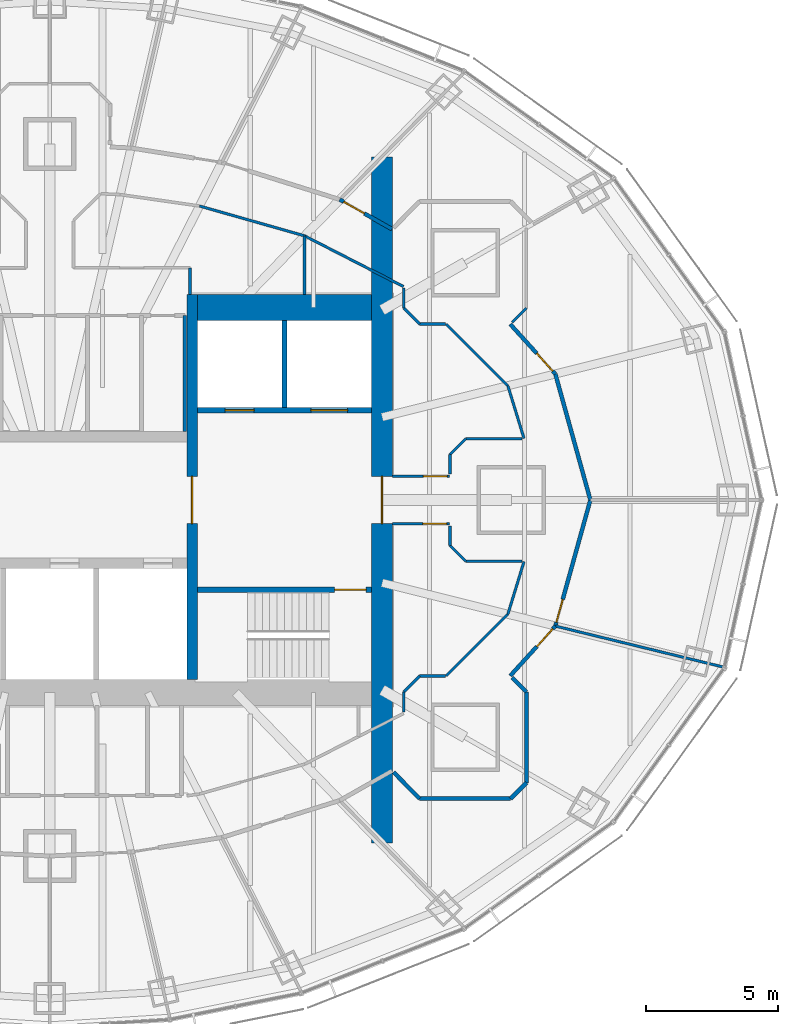
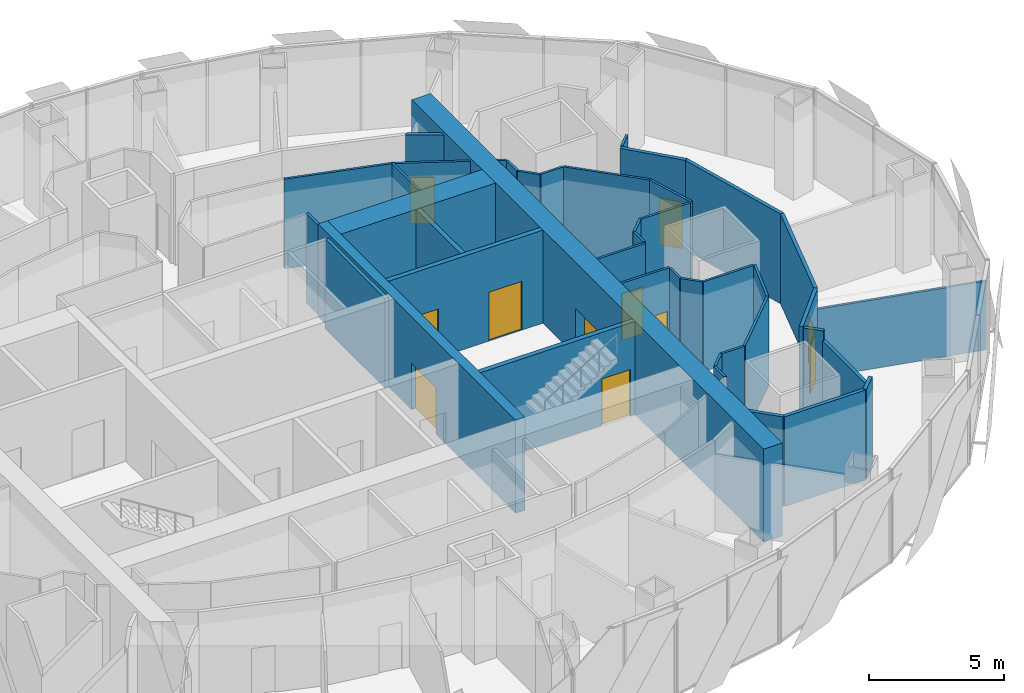
# One storey, part 14 of 18: 41 walls, 11 doors, 11 openings.
"""IFC4 building model written with IfcOpenShell, lengths in metres."""

from ifc_helpers import new_model, si_unit, direction, frame, frame_2d, origin, place, context, subcontext, project, spatial, rectangle, extrude, material, layer, layer_set, type_object, element, fill, save


model = new_model("IFC4")

# Units and contexts
model_context = context("Model", 3, precision=1e-05, world=origin(), true_north=direction((0.0, 1.0)))
body_context = subcontext(model_context, "Body", "Model", "MODEL_VIEW")
ifc_project = project(units=[si_unit("LENGTHUNIT", "METRE"), si_unit("AREAUNIT", "SQUARE_METRE"), si_unit("VOLUMEUNIT", "CUBIC_METRE"), si_unit("PLANEANGLEUNIT", "RADIAN"), si_unit("MASSUNIT", "GRAM", prefix="KILO")], contexts=[model_context])

# Site, building, storey
site_placement = place(None, origin())
site = spatial("IfcSite", under=ifc_project, at=site_placement, CompositionType="ELEMENT")
building_placement = place(site_placement, origin())
building = spatial("IfcBuilding", under=site, at=building_placement, Name="Lantaw Convention Tower", CompositionType="ELEMENT")
storey_placement = place(building_placement, frame((0.0, 0.0, 236.800048828125)))
storey = spatial("IfcBuildingStorey", under=building, at=storey_placement, Name="L55", CompositionType="ELEMENT", Elevation=236.800048828125)

# Wall
ifc_material_1 = material(Name="Concrete C60/75", Category="concrete")
ifc_layer_1 = layer(ifc_material_1, 1.0)
ifc_layer_set_1 = layer_set([ifc_layer_1], Name="Core wall 1000")
wall_type_1 = type_object("IfcWallType", Name="Core wall 1000", PredefinedType="SHEAR", material=ifc_layer_set_1)
wall_1_placement = place(storey_placement, frame((12.199951171875, 7.300048828125, 0.0), z_axis=(0.0, 0.0, 1.0), x_axis=(-1.0, 0.0, 0.0)))
element("IfcWall", 1, at=wall_1_placement, inside=storey, type_object=wall_type_1, Name="Core wall NE", PredefinedType="SHEAR", context=body_context, shape_type="SweptSolid", body=[
    extrude(rectangle(XDim=6.599853515625, YDim=1.0, at=frame_2d((3.2998046875, 0.0))), origin(), (0.0, 0.0, 1.0), 4.199951171875),
])

# Wall, opening, door
ifc_layer_2 = layer(ifc_material_1, 0.199951171875)
ifc_layer_set_2 = layer_set([ifc_layer_2], Name="Core wall 200")
wall_type_2 = type_object("IfcWallType", Name="Core wall 200", PredefinedType="SHEAR", material=ifc_layer_set_2)
wall_2_placement = place(storey_placement, frame((5.60009765625, -3.39990234375, 0.0), z_axis=(0.0, 0.0, 1.0), x_axis=(1.0, 0.0, 0.0)))
wall_2 = element("IfcWall", 2, at=wall_2_placement, inside=storey, type_object=wall_type_2, Name="Core wall ES", PredefinedType="SHEAR", context=body_context, shape_type="SweptSolid", body=[
    extrude(rectangle(XDim=6.599853515625, YDim=0.199951171875, at=frame_2d((3.2998046875, 0.0))), origin(), (0.0, 0.0, 1.0), 4.199951171875),
])
opening_1_placement = place(wall_2_placement, frame((5.199951171875, 0.0, 0.0)))
opening_1 = element("IfcOpeningElement", 3, at=opening_1_placement, cuts=wall_2, Name="Opening L55.03", PredefinedType="OPENING", context=body_context, shape_type="SweptSolid", body=[
    extrude(rectangle(XDim=1.199951171875, YDim=2.10009765625, at=frame_2d((0.60009765625, 1.050048828125))), frame((0.0, 0.10986328125, 0.0), z_axis=(0.0, -1.0, 0.0), x_axis=(1.0, 0.0, 0.0)), (0.0, 0.0, 1.0), 0.219970703125),
])
ifc_material_2 = material(Name="Steel, fire rated", Category="steel")
door_type_1 = type_object("IfcDoorType", Name="Stair door FD90", OperationType="SINGLE_SWING_RIGHT", PredefinedType="DOOR", material=ifc_material_2)
door_1_placement = place(opening_1_placement, origin())
door_1 = element("IfcDoor", 4, at=door_1_placement, inside=storey, type_object=door_type_1, Name="Exit stair door", OperationType="SINGLE_SWING_RIGHT", OverallHeight=2.10009765625, OverallWidth=1.199951171875, PredefinedType="DOOR", context=body_context, shape_type="SweptSolid", body=[
    extrude(rectangle(XDim=1.199951171875, YDim=2.10009765625, at=frame_2d((0.60009765625, 1.050048828125))), frame((0.0, 0.02490234375, 0.0), z_axis=(0.0, -1.0, 0.0), x_axis=(1.0, 0.0, 0.0)), (0.0, 0.0, 1.0), 0.050048828125),
])
fill(opening_1, door_1)

ifc_layer_3 = layer(ifc_material_1, 0.39990234375)
ifc_layer_set_3 = layer_set([ifc_layer_3], Name="Core wall 400")
wall_type_3 = type_object("IfcWallType", Name="Core wall 400", PredefinedType="SHEAR", material=ifc_layer_set_3)
wall_3_placement = place(storey_placement, frame((5.39990234375, -6.800048828125, 0.0), z_axis=(0.0, 0.0, 1.0), x_axis=(0.0, 1.0, 0.0)))
wall_3 = element("IfcWall", 5, at=wall_3_placement, inside=storey, type_object=wall_type_3, Name="Core wall XE", PredefinedType="SHEAR", context=body_context, shape_type="SweptSolid", body=[
    extrude(rectangle(XDim=14.60009765625, YDim=0.39990234375, at=frame_2d((7.300048828125, 0.0))), origin(), (0.0, 0.0, 1.0), 4.199951171875),
])
opening_2_placement = place(wall_3_placement, frame((5.89990234375, 0.0, 0.0)))
opening_2 = element("IfcOpeningElement", 6, at=opening_2_placement, cuts=wall_3, Name="Opening L55.01", PredefinedType="OPENING", context=body_context, shape_type="SweptSolid", body=[
    extrude(rectangle(XDim=1.800048828125, YDim=2.10009765625, at=frame_2d((0.89990234375, 1.050048828125))), frame((0.0, 0.2099609375, 0.0), z_axis=(0.0, -1.0, 0.0), x_axis=(1.0, 0.0, 0.0)), (0.0, 0.0, 1.0), 0.419921875),
])
door_type_2 = type_object("IfcDoorType", Name="Lobby double door FD90", OperationType="DOUBLE_DOOR_DOUBLE_SWING", PredefinedType="DOOR", material=ifc_material_2)
door_2_placement = place(opening_2_placement, origin())
door_2 = element("IfcDoor", 7, at=door_2_placement, inside=storey, type_object=door_type_2, Name="Lift lobby door", OperationType="DOUBLE_DOOR_DOUBLE_SWING", OverallHeight=2.10009765625, OverallWidth=1.800048828125, PredefinedType="DOOR", context=body_context, shape_type="SweptSolid", body=[
    extrude(rectangle(XDim=1.800048828125, YDim=2.10009765625, at=frame_2d((0.89990234375, 1.050048828125))), frame((0.0, 0.02490234375, 0.0), z_axis=(0.0, -1.0, 0.0), x_axis=(1.0, 0.0, 0.0)), (0.0, 0.0, 1.0), 0.050048828125),
])
fill(opening_2, door_2)

ifc_layer_4 = layer(ifc_material_1, 0.800048828125)
ifc_layer_set_4 = layer_set([ifc_layer_4], Name="Core wall 800")
wall_type_4 = type_object("IfcWallType", Name="Core wall 800", PredefinedType="SHEAR", material=ifc_layer_set_4)
wall_4_placement = place(storey_placement, frame((12.60009765625, -13.0, 0.0), z_axis=(0.0, 0.0, 1.0), x_axis=(0.0, 1.0, 0.0)))
wall_4 = element("IfcWall", 8, at=wall_4_placement, inside=storey, type_object=wall_type_4, Name="Core wall E", PredefinedType="SHEAR", context=body_context, shape_type="SweptSolid", body=[
    extrude(rectangle(XDim=26.0, YDim=0.800048828125, at=frame_2d((13.0, 0.0))), origin(), (0.0, 0.0, 1.0), 4.199951171875),
])
opening_3_placement = place(wall_4_placement, frame((12.10009765625, 0.0, 0.0)))
opening_3 = element("IfcOpeningElement", 9, at=opening_3_placement, cuts=wall_4, Name="Opening L55.05", PredefinedType="OPENING", context=body_context, shape_type="SweptSolid", body=[
    extrude(rectangle(XDim=1.800048828125, YDim=2.10009765625, at=frame_2d((0.89990234375, 1.050048828125))), frame((0.0, 0.409912109375, 0.0), z_axis=(0.0, -1.0, 0.0), x_axis=(1.0, 0.0, 0.0)), (0.0, 0.0, 1.0), 0.820068359375),
])
door_3_placement = place(opening_3_placement, origin())
door_3 = element("IfcDoor", 10, at=door_3_placement, inside=storey, type_object=door_type_2, Name="Firefighting lobby door", OperationType="DOUBLE_DOOR_DOUBLE_SWING", OverallHeight=2.10009765625, OverallWidth=1.800048828125, PredefinedType="DOOR", context=body_context, shape_type="SweptSolid", body=[
    extrude(rectangle(XDim=1.800048828125, YDim=2.10009765625, at=frame_2d((0.89990234375, 1.050048828125))), frame((0.0, 0.02490234375, 0.0), z_axis=(0.0, -1.0, 0.0), x_axis=(1.0, 0.0, 0.0)), (0.0, 0.0, 1.0), 0.050048828125),
])
fill(opening_3, door_3)

# Wall
ifc_material_3 = material(Name="Gypsum board on steel studs, fire rated", Category="steel")
ifc_layer_5 = layer(ifc_material_3, 0.14990234375)
ifc_layer_set_5 = layer_set([ifc_layer_5], Name="Corridor wall 150 EI 60")
wall_type_5 = type_object("IfcWallType", Name="Corridor wall 150 EI 60", PredefinedType="PARTITIONING", material=ifc_layer_set_5)
wall_5_placement = place(storey_placement, frame((20.5, 0.0, 0.0), z_axis=(0.0, 0.0, 1.0), x_axis=(-0.26770731566, 0.963500281859, 0.0)))
element("IfcWall", 11, at=wall_5_placement, inside=storey, type_object=wall_type_5, Name="Corridor wall 150", PredefinedType="PARTITIONING", context=body_context, shape_type="SweptSolid", body=[
    extrude(rectangle(XDim=4.961181640625, YDim=0.14990234375, at=frame_2d((2.48046875, 0.0))), origin(), (0.0, 0.0, 1.0), 4.050048828125),
])

# Wall, opening, door
wall_6_placement = place(storey_placement, frame((19.171875, -4.780029296875, 0.0), z_axis=(0.0, 0.0, 1.0), x_axis=(0.26770731566, 0.963500281859, 0.0)))
wall_6 = element("IfcWall", 12, at=wall_6_placement, inside=storey, type_object=wall_type_5, Name="Corridor wall 150", PredefinedType="PARTITIONING", context=body_context, shape_type="SweptSolid", body=[
    extrude(rectangle(XDim=4.961181640625, YDim=0.14990234375, at=frame_2d((2.48046875, 0.0))), origin(), (0.0, 0.0, 1.0), 4.050048828125),
])
opening_4_placement = place(wall_6_placement, frame((0.14990234375, 0.0, 0.0)))
opening_4 = element("IfcOpeningElement", 13, at=opening_4_placement, cuts=wall_6, Name="Opening L55.46", PredefinedType="OPENING", context=body_context, shape_type="SweptSolid", body=[
    extrude(rectangle(XDim=0.89990234375, YDim=2.10009765625, at=frame_2d((0.449951171875, 1.050048828125))), frame((0.0, 0.0849609375, 0.0), z_axis=(0.0, -1.0, 0.0), x_axis=(1.0, 0.0, 0.0)), (0.0, 0.0, 1.0), 0.169921875),
])
door_type_3 = type_object("IfcDoorType", Name="Office door 900 FD30", OperationType="SINGLE_SWING_LEFT", PredefinedType="DOOR", material=ifc_material_2)
door_4_placement = place(opening_4_placement, origin())
door_4 = element("IfcDoor", 14, at=door_4_placement, inside=storey, type_object=door_type_3, Name="Pantry door", OperationType="SINGLE_SWING_LEFT", OverallHeight=2.10009765625, OverallWidth=0.89990234375, PredefinedType="DOOR", context=body_context, shape_type="SweptSolid", body=[
    extrude(rectangle(XDim=0.89990234375, YDim=2.10009765625, at=frame_2d((0.449951171875, 1.050048828125))), frame((0.0, 0.02490234375, 0.0), z_axis=(0.0, -1.0, 0.0), x_axis=(1.0, 0.0, 0.0)), (0.0, 0.0, 1.0), 0.050048828125),
])
fill(opening_4, door_4)

wall_7_placement = place(storey_placement, frame((17.462646484375, -6.6650390625, 0.0), z_axis=(0.0, 0.0, 1.0), x_axis=(0.671721890643, 0.74080341632, 0.0)))
wall_7 = element("IfcWall", 15, at=wall_7_placement, inside=storey, type_object=wall_type_5, Name="Corridor wall 150", PredefinedType="PARTITIONING", context=body_context, shape_type="SweptSolid", body=[
    extrude(rectangle(XDim=2.54443359375, YDim=0.14990234375, at=frame_2d((1.272216796875, 0.0))), origin(), (0.0, 0.0, 1.0), 4.050048828125),
])
opening_5_placement = place(wall_7_placement, frame((1.5, 0.0, 0.0)))
opening_5 = element("IfcOpeningElement", 16, at=opening_5_placement, cuts=wall_7, Name="Opening L55.45", PredefinedType="OPENING", context=body_context, shape_type="SweptSolid", body=[
    extrude(rectangle(XDim=0.89990234375, YDim=2.10009765625, at=frame_2d((0.449951171875, 1.050048828125))), frame((0.0, 0.0849609375, 0.0), z_axis=(0.0, -1.0, 0.0), x_axis=(1.0, 0.0, 0.0)), (0.0, 0.0, 1.0), 0.169921875),
])
door_5_placement = place(opening_5_placement, origin())
door_5 = element("IfcDoor", 17, at=door_5_placement, inside=storey, type_object=door_type_3, Name="Open office door", OperationType="SINGLE_SWING_LEFT", OverallHeight=2.10009765625, OverallWidth=0.89990234375, PredefinedType="DOOR", context=body_context, shape_type="SweptSolid", body=[
    extrude(rectangle(XDim=0.89990234375, YDim=2.10009765625, at=frame_2d((0.449951171875, 1.050048828125))), frame((0.0, 0.02490234375, 0.0), z_axis=(0.0, -1.0, 0.0), x_axis=(1.0, 0.0, 0.0)), (0.0, 0.0, 1.0), 0.050048828125),
])
fill(opening_5, door_5)

# Walls
wall_8_placement = place(storey_placement, frame((17.537841796875, -6.73828125, 0.0), z_axis=(0.0, 0.0, 1.0), x_axis=(0.707106781187, -0.707106781187, 0.0)))
element("IfcWall", 18, at=wall_8_placement, inside=storey, type_object=wall_type_5, Name="Corridor wall 150", PredefinedType="PARTITIONING", context=body_context, shape_type="SweptSolid", body=[
    extrude(rectangle(XDim=0.759521484375, YDim=0.14990234375, at=frame_2d((0.3798828125, 0.0))), origin(), (0.0, 0.0, 1.0), 4.050048828125),
])
wall_9_placement = place(storey_placement, frame((18.074951171875, -7.275390625, 0.0), z_axis=(0.0, 0.0, 1.0), x_axis=(0.0, -1.0, 0.0)))
element("IfcWall", 19, at=wall_9_placement, inside=storey, type_object=wall_type_5, Name="Corridor wall 150", PredefinedType="PARTITIONING", context=body_context, shape_type="SweptSolid", body=[
    extrude(rectangle(XDim=3.44921875, YDim=0.14990234375, at=frame_2d((1.724609375, 0.0))), origin(), (0.0, 0.0, 1.0), 3.600341796875),
])
wall_10_placement = place(storey_placement, frame((18.074951171875, -10.724609375, 0.0), z_axis=(0.0, 0.0, 1.0), x_axis=(-0.707106781187, -0.707106781187, 0.0)))
element("IfcWall", 20, at=wall_10_placement, inside=storey, type_object=wall_type_5, Name="Corridor wall 150", PredefinedType="PARTITIONING", context=body_context, shape_type="SweptSolid", body=[
    extrude(rectangle(XDim=0.84912109375, YDim=0.14990234375, at=frame_2d((0.424560546875, 0.0))), origin(), (0.0, 0.0, 1.0), 4.050048828125),
])
wall_11_placement = place(storey_placement, frame((17.474609375, -11.324951171875, 0.0), z_axis=(0.0, 0.0, 1.0), x_axis=(-1.0, 0.0, 0.0)))
element("IfcWall", 21, at=wall_11_placement, inside=storey, type_object=wall_type_5, Name="Corridor wall 150", PredefinedType="PARTITIONING", context=body_context, shape_type="SweptSolid", body=[
    extrude(rectangle(XDim=3.44921875, YDim=0.14990234375, at=frame_2d((1.724609375, 0.0))), origin(), (0.0, 0.0, 1.0), 4.050048828125),
])
wall_12_placement = place(storey_placement, frame((14.025390625, -11.324951171875, 0.0), z_axis=(0.0, 0.0, 1.0), x_axis=(-0.701113567316, 0.713049623606, 0.0)))
element("IfcWall", 22, at=wall_12_placement, inside=storey, type_object=wall_type_5, Name="Corridor wall 150", PredefinedType="PARTITIONING", context=body_context, shape_type="SweptSolid", body=[
    extrude(rectangle(XDim=1.411376953125, YDim=0.14990234375, at=frame_2d((0.70556640625, 0.0))), origin(), (0.0, 0.0, 1.0), 4.050048828125),
])

# Wall, opening, door
wall_13_placement = place(storey_placement, frame((19.171875, 4.780029296875, 0.0), z_axis=(0.0, 0.0, 1.0), x_axis=(-0.671721890643, 0.74080341632, 0.0)))
wall_13 = element("IfcWall", 23, at=wall_13_placement, inside=storey, type_object=wall_type_5, Name="Corridor wall 150", PredefinedType="PARTITIONING", context=body_context, shape_type="SweptSolid", body=[
    extrude(rectangle(XDim=2.54443359375, YDim=0.14990234375, at=frame_2d((1.272216796875, 0.0))), origin(), (0.0, 0.0, 1.0), 4.050048828125),
])
opening_6_placement = place(wall_13_placement, frame((0.14990234375, 0.0, 0.0)))
opening_6 = element("IfcOpeningElement", 24, at=opening_6_placement, cuts=wall_13, Name="Opening L55.30", PredefinedType="OPENING", context=body_context, shape_type="SweptSolid", body=[
    extrude(rectangle(XDim=0.89990234375, YDim=2.10009765625, at=frame_2d((0.449951171875, 1.050048828125))), frame((0.0, 0.0849609375, 0.0), z_axis=(0.0, -1.0, 0.0), x_axis=(1.0, 0.0, 0.0)), (0.0, 0.0, 1.0), 0.169921875),
])
door_6_placement = place(opening_6_placement, origin())
door_6 = element("IfcDoor", 25, at=door_6_placement, inside=storey, type_object=door_type_3, Name="Reception door", OperationType="SINGLE_SWING_LEFT", OverallHeight=2.10009765625, OverallWidth=0.89990234375, PredefinedType="DOOR", context=body_context, shape_type="SweptSolid", body=[
    extrude(rectangle(XDim=0.89990234375, YDim=2.10009765625, at=frame_2d((0.449951171875, 1.050048828125))), frame((0.0, 0.02490234375, 0.0), z_axis=(0.0, -1.0, 0.0), x_axis=(1.0, 0.0, 0.0)), (0.0, 0.0, 1.0), 0.050048828125),
])
fill(opening_6, door_6)

wall_14_placement = place(storey_placement, frame((12.974609375, 10.271484375, 0.0), z_axis=(0.0, 0.0, 1.0), x_axis=(-0.869722107117, 0.493541747366, 0.0)))
wall_14 = element("IfcWall", 26, at=wall_14_placement, inside=storey, type_object=wall_type_5, Name="Corridor wall 150", PredefinedType="PARTITIONING", context=body_context, shape_type="SweptSolid", body=[
    extrude(rectangle(XDim=2.26953125, YDim=0.14990234375, at=frame_2d((1.134765625, 0.0))), origin(), (0.0, 0.0, 1.0), 4.050048828125),
])
opening_7_placement = place(wall_14_placement, frame((1.199951171875, 0.0, 0.0)))
opening_7 = element("IfcOpeningElement", 27, at=opening_7_placement, cuts=wall_14, Name="Opening L55.31", PredefinedType="OPENING", context=body_context, shape_type="SweptSolid", body=[
    extrude(rectangle(XDim=0.89990234375, YDim=2.10009765625, at=frame_2d((0.449951171875, 1.050048828125))), frame((0.0, 0.0849609375, 0.0), z_axis=(0.0, -1.0, 0.0), x_axis=(1.0, 0.0, 0.0)), (0.0, 0.0, 1.0), 0.169921875),
])
door_7_placement = place(opening_7_placement, origin())
door_7 = element("IfcDoor", 28, at=door_7_placement, inside=storey, type_object=door_type_3, Name="Private office door", OperationType="SINGLE_SWING_LEFT", OverallHeight=2.10009765625, OverallWidth=0.89990234375, PredefinedType="DOOR", context=body_context, shape_type="SweptSolid", body=[
    extrude(rectangle(XDim=0.89990234375, YDim=2.10009765625, at=frame_2d((0.449951171875, 1.050048828125))), frame((0.0, 0.02490234375, 0.0), z_axis=(0.0, -1.0, 0.0), x_axis=(1.0, 0.0, 0.0)), (0.0, 0.0, 1.0), 0.050048828125),
])
fill(opening_7, door_7)

# Walls
ifc_material_4 = material(Name="Gypsum board on steel studs, acoustic", Category="steel")
ifc_layer_6 = layer(ifc_material_4, 0.10009765625)
ifc_layer_set_6 = layer_set([ifc_layer_6], Name="Office partition 100")
wall_type_6 = type_object("IfcWallType", Name="Office partition 100", PredefinedType="PARTITIONING", material=ifc_layer_set_6)
wall_15_placement = place(storey_placement, frame((25.54296875, -6.33544921875, 0.0), z_axis=(0.0, 0.0, 1.0), x_axis=(-0.971467850621, 0.237171278215, 0.0)))
element("IfcWall", 29, at=wall_15_placement, inside=storey, type_object=wall_type_6, Name="Office partition 100", PredefinedType="PARTITIONING", context=body_context, shape_type="SweptSolid", body=[
    extrude(rectangle(XDim=6.55810546875, YDim=0.10009765625, at=frame_2d((3.279052734375, 0.0))), origin(), (0.0, 0.0, 1.0), 3.107666015625),
])
wall_16_placement = place(storey_placement, frame((5.320068359375, 7.800048828125, 0.0), z_axis=(0.0, 0.0, 1.0), x_axis=(0.0, 1.0, 0.0)))
element("IfcWall", 30, at=wall_16_placement, inside=storey, type_object=wall_type_6, Name="Office partition 100", PredefinedType="PARTITIONING", context=body_context, shape_type="SweptSolid", body=[
    extrude(rectangle(XDim=1.0, YDim=0.10009765625, at=frame_2d((0.5, 0.0))), origin(), (0.0, 0.0, 1.0), 4.050048828125),
])
wall_17_placement = place(storey_placement, frame((5.679931640625, 11.147216796875, 0.0), z_axis=(0.0, 0.0, 1.0), x_axis=(0.961970251804, -0.27315423234, 0.0)))
element("IfcWall", 31, at=wall_17_placement, inside=storey, type_object=wall_type_6, Name="Office partition 100", PredefinedType="PARTITIONING", context=body_context, shape_type="SweptSolid", body=[
    extrude(rectangle(XDim=4.13720703125, YDim=0.10009765625, at=frame_2d((2.068603515625, 0.0))), origin(), (0.0, 0.0, 1.0), 4.050048828125),
])
wall_18_placement = place(storey_placement, frame((9.659912109375, 10.01708984375, 0.0), z_axis=(0.0, 0.0, 1.0), x_axis=(0.0, -1.0, 0.0)))
element("IfcWall", 32, at=wall_18_placement, inside=storey, type_object=wall_type_6, Name="Office partition 100", PredefinedType="PARTITIONING", context=body_context, shape_type="SweptSolid", body=[
    extrude(rectangle(XDim=2.217041015625, YDim=0.10009765625, at=frame_2d((1.1083984375, 0.0))), origin(), (0.0, 0.0, 1.0), 4.050048828125),
])
wall_19_placement = place(storey_placement, frame((17.37158203125, -4.331298828125, 0.0), z_axis=(0.0, 0.0, 1.0), x_axis=(-0.707587114823, -0.70662612104, 0.0)))
element("IfcWall", 33, at=wall_19_placement, inside=storey, type_object=wall_type_6, Name="Office partition 100", PredefinedType="PARTITIONING", context=body_context, shape_type="SweptSolid", body=[
    extrude(rectangle(XDim=3.302734375, YDim=0.10009765625, at=frame_2d((1.6513671875, 0.0))), origin(), (0.0, 0.0, 1.0), 4.050048828125),
])
wall_20_placement = place(storey_placement, frame((13.425048828125, -8.045654296875, 0.0), z_axis=(0.0, 0.0, 1.0), x_axis=(0.0, 1.0, 0.0)))
element("IfcWall", 34, at=wall_20_placement, inside=storey, type_object=wall_type_6, Name="Office partition 100", PredefinedType="PARTITIONING", context=body_context, shape_type="SweptSolid", body=[
    extrude(rectangle(XDim=0.770263671875, YDim=0.10009765625, at=frame_2d((0.38525390625, 0.0))), origin(), (0.0, 0.0, 1.0), 4.050048828125),
])
wall_21_placement = place(storey_placement, frame((13.425048828125, -7.275390625, 0.0), z_axis=(0.0, 0.0, 1.0), x_axis=(0.707106781187, 0.707106781187, 0.0)))
element("IfcWall", 35, at=wall_21_placement, inside=storey, type_object=wall_type_6, Name="Office partition 100", PredefinedType="PARTITIONING", context=body_context, shape_type="SweptSolid", body=[
    extrude(rectangle(XDim=0.84912109375, YDim=0.10009765625, at=frame_2d((0.424560546875, 0.0))), origin(), (0.0, 0.0, 1.0), 4.050048828125),
])
wall_22_placement = place(storey_placement, frame((14.025390625, -6.675048828125, 0.0), z_axis=(0.0, 0.0, 1.0), x_axis=(1.0, 0.0, 0.0)))
element("IfcWall", 36, at=wall_22_placement, inside=storey, type_object=wall_type_6, Name="Office partition 100", PredefinedType="PARTITIONING", context=body_context, shape_type="SweptSolid", body=[
    extrude(rectangle(XDim=0.976806640625, YDim=0.10009765625, at=frame_2d((0.48828125, 0.0))), origin(), (0.0, 0.0, 1.0), 4.050048828125),
])
wall_23_placement = place(storey_placement, frame((9.659912109375, 10.01708984375, 0.0), z_axis=(0.0, 0.0, 1.0), x_axis=(0.889833724874, -0.456284935185, 0.0)))
element("IfcWall", 37, at=wall_23_placement, inside=storey, type_object=wall_type_6, Name="Office partition 100", PredefinedType="PARTITIONING", context=body_context, shape_type="SweptSolid", body=[
    extrude(rectangle(XDim=4.219970703125, YDim=0.10009765625, at=frame_2d((2.10986328125, 0.0))), origin(), (0.0, 0.0, 1.0), 4.050048828125),
])
wall_24_placement = place(storey_placement, frame((15.03466796875, 6.6650390625, 0.0), z_axis=(0.0, 0.0, 1.0), x_axis=(0.707587114823, -0.70662612104, 0.0)))
element("IfcWall", 38, at=wall_24_placement, inside=storey, type_object=wall_type_6, Name="Office partition 100", PredefinedType="PARTITIONING", context=body_context, shape_type="SweptSolid", body=[
    extrude(rectangle(XDim=3.302734375, YDim=0.10009765625, at=frame_2d((1.6513671875, 0.0))), origin(), (0.0, 0.0, 1.0), 4.050048828125),
])
wall_25_placement = place(storey_placement, frame((15.002197265625, 6.675048828125, 0.0), z_axis=(0.0, 0.0, 1.0), x_axis=(-1.0, 0.0, 0.0)))
element("IfcWall", 39, at=wall_25_placement, inside=storey, type_object=wall_type_6, Name="Office partition 100", PredefinedType="PARTITIONING", context=body_context, shape_type="SweptSolid", body=[
    extrude(rectangle(XDim=0.976806640625, YDim=0.10009765625, at=frame_2d((0.48828125, 0.0))), origin(), (0.0, 0.0, 1.0), 4.050048828125),
])
wall_26_placement = place(storey_placement, frame((14.025390625, 6.675048828125, 0.0), z_axis=(0.0, 0.0, 1.0), x_axis=(-0.707106781187, 0.707106781187, 0.0)))
element("IfcWall", 40, at=wall_26_placement, inside=storey, type_object=wall_type_6, Name="Office partition 100", PredefinedType="PARTITIONING", context=body_context, shape_type="SweptSolid", body=[
    extrude(rectangle(XDim=0.84912109375, YDim=0.10009765625, at=frame_2d((0.424560546875, 0.0))), origin(), (0.0, 0.0, 1.0), 4.050048828125),
])
wall_27_placement = place(storey_placement, frame((13.425048828125, 7.275390625, 0.0), z_axis=(0.0, 0.0, 1.0), x_axis=(0.0, 1.0, 0.0)))
element("IfcWall", 41, at=wall_27_placement, inside=storey, type_object=wall_type_6, Name="Office partition 100", PredefinedType="PARTITIONING", context=body_context, shape_type="SweptSolid", body=[
    extrude(rectangle(XDim=0.77001953125, YDim=0.10009765625, at=frame_2d((0.385009765625, 0.0))), origin(), (0.0, 0.0, 1.0), 4.050048828125),
])
wall_28_placement = place(storey_placement, frame((18.074951171875, 7.275390625, 0.0), z_axis=(0.0, 0.0, 1.0), x_axis=(-0.707106781187, -0.707106781187, 0.0)))
element("IfcWall", 42, at=wall_28_placement, inside=storey, type_object=wall_type_6, Name="Office partition 100", PredefinedType="PARTITIONING", context=body_context, shape_type="SweptSolid", body=[
    extrude(rectangle(XDim=0.759521484375, YDim=0.10009765625, at=frame_2d((0.3798828125, 0.0))), origin(), (0.0, 0.0, 1.0), 4.050048828125),
])

# Wall, opening, door
wall_29_placement = place(storey_placement, frame((13.0, -0.89990234375, 0.0), z_axis=(0.0, 0.0, 1.0), x_axis=(1.0, 0.0, 0.0)))
wall_29 = element("IfcWall", 43, at=wall_29_placement, inside=storey, type_object=wall_type_6, Name="Office partition 100", PredefinedType="PARTITIONING", context=body_context, shape_type="SweptSolid", body=[
    extrude(rectangle(XDim=2.1650390625, YDim=0.10009765625, at=frame_2d((1.08251953125, 0.0))), origin(), (0.0, 0.0, 1.0), 4.050048828125),
])
opening_8_placement = place(wall_29_placement, frame((1.14990234375, 0.0, 0.0)))
opening_8 = element("IfcOpeningElement", 44, at=opening_8_placement, cuts=wall_29, Name="Opening L55.25", PredefinedType="OPENING", context=body_context, shape_type="SweptSolid", body=[
    extrude(rectangle(XDim=0.89990234375, YDim=2.10009765625, at=frame_2d((0.449951171875, 1.050048828125))), frame((0.0, 0.06005859375, 0.0), z_axis=(0.0, -1.0, 0.0), x_axis=(1.0, 0.0, 0.0)), (0.0, 0.0, 1.0), 0.1201171875),
])
ifc_material_5 = material(Name="Timber", Category="wood")
door_type_4 = type_object("IfcDoorType", Name="Office door 900", OperationType="SINGLE_SWING_LEFT", PredefinedType="DOOR", material=ifc_material_5)
door_8_placement = place(opening_8_placement, origin())
door_8 = element("IfcDoor", 45, at=door_8_placement, inside=storey, type_object=door_type_4, Name="Meeting room door", OperationType="SINGLE_SWING_LEFT", OverallHeight=2.10009765625, OverallWidth=0.89990234375, PredefinedType="DOOR", context=body_context, shape_type="SweptSolid", body=[
    extrude(rectangle(XDim=0.89990234375, YDim=2.10009765625, at=frame_2d((0.449951171875, 1.050048828125))), frame((0.0, 0.02490234375, 0.0), z_axis=(0.0, -1.0, 0.0), x_axis=(1.0, 0.0, 0.0)), (0.0, 0.0, 1.0), 0.050048828125),
])
fill(opening_8, door_8)

# Walls
for number, where, z_axis, x_axis, name in (
    (46, (17.98388671875, -2.3349609375, 0.0), (0.0, 0.0, 1.0), (-0.293231279211, -0.956041535129, 0.0), "Office partition 100"),
    (47, (17.37158203125, 4.331298828125, 0.0), (0.0, 0.0, 1.0), (0.293231279211, -0.956041535129, 0.0), "Office partition 100"),
):
    element("IfcWall", number, at=place(storey_placement, frame(where, z_axis=z_axis, x_axis=x_axis)), inside=storey, type_object=wall_type_6, Name=name, PredefinedType="PARTITIONING", context=body_context, shape_type="SweptSolid", body=[
        extrude(rectangle(XDim=2.088134765625, YDim=0.10009765625, at=frame_2d((1.0439453125, 0.0))), origin(), (0.0, 0.0, 1.0), 4.050048828125),
    ])

# Wall, opening, door
wall_30_placement = place(storey_placement, frame((15.1650390625, 0.89990234375, 0.0), z_axis=(0.0, 0.0, 1.0), x_axis=(-1.0, 0.0, 0.0)))
wall_30 = element("IfcWall", 48, at=wall_30_placement, inside=storey, type_object=wall_type_6, Name="Office partition 100", PredefinedType="PARTITIONING", context=body_context, shape_type="SweptSolid", body=[
    extrude(rectangle(XDim=2.1650390625, YDim=0.10009765625, at=frame_2d((1.08251953125, 0.0))), origin(), (0.0, 0.0, 1.0), 4.050048828125),
])
opening_9_placement = place(wall_30_placement, frame((0.10009765625, 0.0, 0.0)))
opening_9 = element("IfcOpeningElement", 49, at=opening_9_placement, cuts=wall_30, Name="Opening L55.27", PredefinedType="OPENING", context=body_context, shape_type="SweptSolid", body=[
    extrude(rectangle(XDim=0.89990234375, YDim=2.10009765625, at=frame_2d((0.449951171875, 1.050048828125))), frame((0.0, 0.06005859375, 0.0), z_axis=(0.0, -1.0, 0.0), x_axis=(1.0, 0.0, 0.0)), (0.0, 0.0, 1.0), 0.1201171875),
])
door_9_placement = place(opening_9_placement, origin())
door_9 = element("IfcDoor", 50, at=door_9_placement, inside=storey, type_object=door_type_4, Name="Project room door", OperationType="SINGLE_SWING_LEFT", OverallHeight=2.10009765625, OverallWidth=0.89990234375, PredefinedType="DOOR", context=body_context, shape_type="SweptSolid", body=[
    extrude(rectangle(XDim=0.89990234375, YDim=2.10009765625, at=frame_2d((0.449951171875, 1.050048828125))), frame((0.0, 0.02490234375, 0.0), z_axis=(0.0, -1.0, 0.0), x_axis=(1.0, 0.0, 0.0)), (0.0, 0.0, 1.0), 0.050048828125),
])
fill(opening_9, door_9)

# Walls
wall_31_placement = place(storey_placement, frame((15.175048828125, -1.724609375, 0.0), z_axis=(0.0, 0.0, 1.0), x_axis=(0.0, 1.0, 0.0)))
element("IfcWall", 51, at=wall_31_placement, inside=storey, type_object=wall_type_6, Name="Office partition 100", PredefinedType="PARTITIONING", context=body_context, shape_type="SweptSolid", body=[
    extrude(rectangle(XDim=0.746337890625, YDim=0.10009765625, at=frame_2d((0.373046875, 0.0))), origin(), (0.0, 0.0, 1.0), 4.050048828125),
])
wall_32_placement = place(storey_placement, frame((17.903076171875, -2.324951171875, 0.0), z_axis=(0.0, 0.0, 1.0), x_axis=(-1.0, 0.0, 0.0)))
element("IfcWall", 52, at=wall_32_placement, inside=storey, type_object=wall_type_6, Name="Office partition 100", PredefinedType="PARTITIONING", context=body_context, shape_type="SweptSolid", body=[
    extrude(rectangle(XDim=2.127685546875, YDim=0.10009765625, at=frame_2d((1.06396484375, 0.0))), origin(), (0.0, 0.0, 1.0), 4.050048828125),
])
wall_33_placement = place(storey_placement, frame((15.775390625, -2.324951171875, 0.0), z_axis=(0.0, 0.0, 1.0), x_axis=(-0.707106781187, 0.707106781187, 0.0)))
element("IfcWall", 53, at=wall_33_placement, inside=storey, type_object=wall_type_6, Name="Office partition 100", PredefinedType="PARTITIONING", context=body_context, shape_type="SweptSolid", body=[
    extrude(rectangle(XDim=0.84912109375, YDim=0.10009765625, at=frame_2d((0.424560546875, 0.0))), origin(), (0.0, 0.0, 1.0), 4.050048828125),
])
wall_34_placement = place(storey_placement, frame((15.175048828125, 0.978271484375, 0.0), z_axis=(0.0, 0.0, 1.0), x_axis=(0.0, 1.0, 0.0)))
element("IfcWall", 54, at=wall_34_placement, inside=storey, type_object=wall_type_6, Name="Office partition 100", PredefinedType="PARTITIONING", context=body_context, shape_type="SweptSolid", body=[
    extrude(rectangle(XDim=0.746337890625, YDim=0.10009765625, at=frame_2d((0.373046875, 0.0))), origin(), (0.0, 0.0, 1.0), 4.050048828125),
])
wall_35_placement = place(storey_placement, frame((15.175048828125, 1.724609375, 0.0), z_axis=(0.0, 0.0, 1.0), x_axis=(0.707106781187, 0.707106781187, 0.0)))
element("IfcWall", 55, at=wall_35_placement, inside=storey, type_object=wall_type_6, Name="Office partition 100", PredefinedType="PARTITIONING", context=body_context, shape_type="SweptSolid", body=[
    extrude(rectangle(XDim=0.84912109375, YDim=0.10009765625, at=frame_2d((0.424560546875, 0.0))), origin(), (0.0, 0.0, 1.0), 4.050048828125),
])
wall_36_placement = place(storey_placement, frame((15.775390625, 2.324951171875, 0.0), z_axis=(0.0, 0.0, 1.0), x_axis=(1.0, 0.0, 0.0)))
element("IfcWall", 56, at=wall_36_placement, inside=storey, type_object=wall_type_6, Name="Office partition 100", PredefinedType="PARTITIONING", context=body_context, shape_type="SweptSolid", body=[
    extrude(rectangle(XDim=2.127685546875, YDim=0.10009765625, at=frame_2d((1.06396484375, 0.0))), origin(), (0.0, 0.0, 1.0), 4.050048828125),
])

# Wall, openings, doors
ifc_material_6 = material(Name="Concrete blockwork, fire rated", Category="masonry")
ifc_layer_7 = layer(ifc_material_6, 0.199951171875)
ifc_layer_set_7 = layer_set([ifc_layer_7], Name="Shaft wall 200")
wall_type_7 = type_object("IfcWallType", Name="Shaft wall 200", PredefinedType="SOLIDWALL", material=ifc_layer_set_7)
wall_37_placement = place(storey_placement, frame((12.199951171875, 3.39990234375, 0.0), z_axis=(0.0, 0.0, 1.0), x_axis=(-1.0, 0.0, 0.0)))
wall_37 = element("IfcWall", 57, at=wall_37_placement, inside=storey, type_object=wall_type_7, Name="Shaft wall EN", PredefinedType="SOLIDWALL", context=body_context, shape_type="SweptSolid", body=[
    extrude(rectangle(XDim=6.599853515625, YDim=0.199951171875, at=frame_2d((3.2998046875, 0.0))), origin(), (0.0, 0.0, 1.0), 4.199951171875),
])
opening_10_placement = place(wall_37_placement, frame((4.449951171875, 0.0, 0.0)))
opening_10 = element("IfcOpeningElement", 58, at=opening_10_placement, cuts=wall_37, Name="Opening L55.12", PredefinedType="OPENING", context=body_context, shape_type="SweptSolid", body=[
    extrude(rectangle(XDim=1.10009765625, YDim=2.199951171875, at=frame_2d((0.550048828125, 1.10009765625))), frame((0.0, 0.10986328125, 0.0), z_axis=(0.0, -1.0, 0.0), x_axis=(1.0, 0.0, 0.0)), (0.0, 0.0, 1.0), 0.219970703125),
])
opening_11_placement = place(wall_37_placement, frame((0.89990234375, 0.0, 0.0)))
opening_11 = element("IfcOpeningElement", 59, at=opening_11_placement, cuts=wall_37, Name="Opening L55.13", PredefinedType="OPENING", context=body_context, shape_type="SweptSolid", body=[
    extrude(rectangle(XDim=1.39990234375, YDim=2.199951171875, at=frame_2d((0.699951171875, 1.10009765625))), frame((0.0, 0.10986328125, 0.0), z_axis=(0.0, -1.0, 0.0), x_axis=(1.0, 0.0, 0.0)), (0.0, 0.0, 1.0), 0.219970703125),
])
ifc_material_7 = material(Name="Stainless steel", Category="steel")
door_type_5 = type_object("IfcDoorType", Name="Lift landing door 1100", OperationType="DOUBLE_DOOR_SLIDING", PredefinedType="DOOR", material=ifc_material_7)
door_10_placement = place(opening_10_placement, origin())
door_10 = element("IfcDoor", 60, at=door_10_placement, inside=storey, type_object=door_type_5, Name="Lift landing door FF2", OperationType="DOUBLE_DOOR_SLIDING", OverallHeight=2.199951171875, OverallWidth=1.10009765625, PredefinedType="DOOR", context=body_context, shape_type="SweptSolid", body=[
    extrude(rectangle(XDim=1.10009765625, YDim=2.199951171875, at=frame_2d((0.550048828125, 1.10009765625))), frame((0.0, 0.02490234375, 0.0), z_axis=(0.0, -1.0, 0.0), x_axis=(1.0, 0.0, 0.0)), (0.0, 0.0, 1.0), 0.050048828125),
])
fill(opening_10, door_10)
door_type_6 = type_object("IfcDoorType", Name="Lift landing door 1400", OperationType="DOUBLE_DOOR_SLIDING", PredefinedType="DOOR", material=ifc_material_7)
door_11_placement = place(opening_11_placement, origin())
door_11 = element("IfcDoor", 61, at=door_11_placement, inside=storey, type_object=door_type_6, Name="Lift landing door SV2", OperationType="DOUBLE_DOOR_SLIDING", OverallHeight=2.199951171875, OverallWidth=1.39990234375, PredefinedType="DOOR", context=body_context, shape_type="SweptSolid", body=[
    extrude(rectangle(XDim=1.39990234375, YDim=2.199951171875, at=frame_2d((0.699951171875, 1.10009765625))), frame((0.0, 0.02490234375, 0.0), z_axis=(0.0, -1.0, 0.0), x_axis=(1.0, 0.0, 0.0)), (0.0, 0.0, 1.0), 0.050048828125),
])
fill(opening_11, door_11)

# Walls
wall_38_placement = place(storey_placement, frame((8.89990234375, 3.5, 0.0), z_axis=(0.0, 0.0, 1.0), x_axis=(0.0, 1.0, 0.0)))
element("IfcWall", 62, at=wall_38_placement, inside=storey, type_object=wall_type_7, Name="Shaft wall ED", PredefinedType="SOLIDWALL", context=body_context, shape_type="SweptSolid", body=[
    extrude(rectangle(XDim=3.300048828125, YDim=0.199951171875, at=frame_2d((1.64990234375, 0.0))), origin(), (0.0, 0.0, 1.0), 4.199951171875),
])
ifc_material_8 = material(Name="Concrete blockwork", Category="masonry")
ifc_layer_8 = layer(ifc_material_8, 0.14990234375)
ifc_layer_set_8 = layer_set([ifc_layer_8], Name="WC wall 150")
wall_type_8 = type_object("IfcWallType", Name="WC wall 150", PredefinedType="SOLIDWALL", material=ifc_layer_set_8)
wall_39_placement = place(storey_placement, frame((5.1201171875, 2.60009765625, 0.0), z_axis=(0.0, 0.0, 1.0), x_axis=(0.0, 1.0, 0.0)))
element("IfcWall", 63, at=wall_39_placement, inside=storey, type_object=wall_type_8, Name="WC wall 150", PredefinedType="SOLIDWALL", context=body_context, shape_type="SweptSolid", body=[
    extrude(rectangle(XDim=4.39990234375, YDim=0.14990234375, at=frame_2d((2.199951171875, 0.0))), origin(), (0.0, 0.0, 1.0), 4.050048828125),
])

save(model, "model.ifc")
